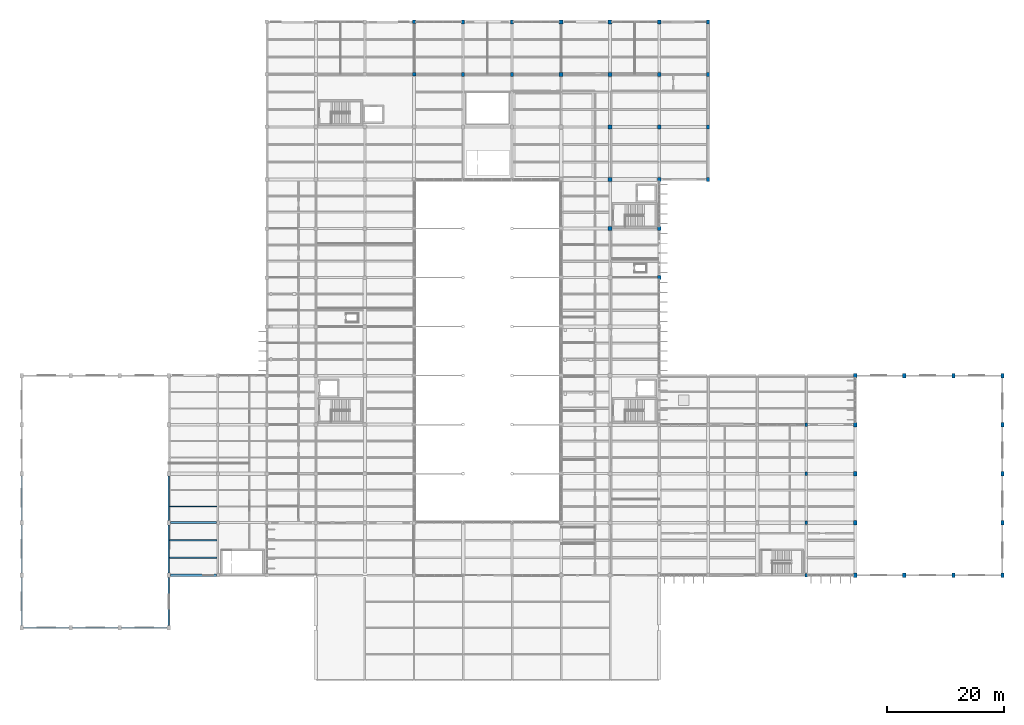
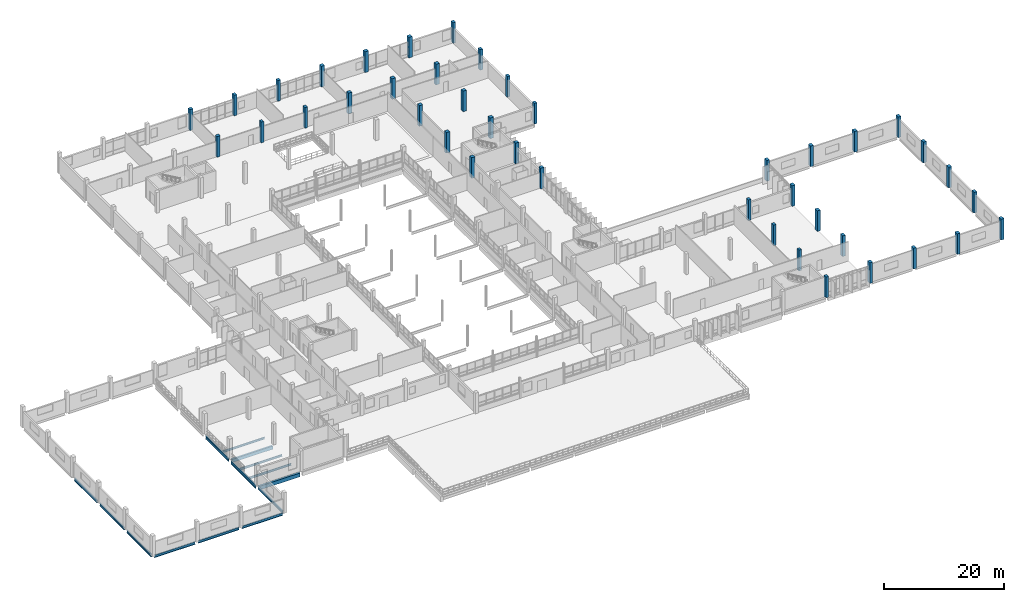
# One storey, part 7 of 101: 41 columns, 14 beams.
"""IFC4 building model written with IfcOpenShell, lengths in metres."""

from ifc_helpers import new_model, si_unit, direction, frame, origin, origin_2d, place, context, subcontext, project, spatial, rectangle, i_section, extrude, material, material_profile, profile_set, type_object, element, save


model = new_model("IFC4")

# Units and contexts
model_context = context("Model", 3, precision=1e-05, world=origin(), true_north=direction((0.0, 1.0)))
body_context = subcontext(model_context, "Body", "Model", "MODEL_VIEW")
ifc_project = project(units=[si_unit("LENGTHUNIT", "METRE"), si_unit("AREAUNIT", "SQUARE_METRE"), si_unit("VOLUMEUNIT", "CUBIC_METRE"), si_unit("PLANEANGLEUNIT", "RADIAN"), si_unit("MASSUNIT", "GRAM", prefix="KILO")], contexts=[model_context])

# Site, building, storey
site_placement = place(None, origin())
site = spatial("IfcSite", under=ifc_project, at=site_placement, CompositionType="ELEMENT")
building_placement = place(site_placement, origin())
building = spatial("IfcBuilding", under=site, at=building_placement, Name="Vireocrest Preparatory School", CompositionType="ELEMENT")
storey_placement = place(building_placement, frame((0.0, 0.0, 4.800048828125)))
storey = spatial("IfcBuildingStorey", under=building, at=storey_placement, Name="L01", CompositionType="ELEMENT", Elevation=4.800048828125)

# Columns
ifc_material_1 = material(Name="Concrete 45 MPa", Category="concrete")
ifc_material_profile_1 = material_profile(ifc_material_1, rectangle(XDim=0.60009765625, YDim=0.60009765625, at=origin_2d()), Name="RC 600x600")
ifc_profile_set_1 = profile_set([ifc_material_profile_1], Name="Concrete 45 MPa")
column_type_1 = type_object("IfcColumnType", Name="RC Column 600x600", PredefinedType="COLUMN", material=ifc_profile_set_1)
for number, where, z_axis, x_axis, name in (
    (1, (67.199951171875, 103.800048828125, 0.0), (0.0, 0.0, 1.0), (1.0, 0.0, 0.0), "Column C05 L01 9/N"),
    (2, (67.199951171875, 112.800048828125, 0.0), (0.0, 0.0, 1.0), (1.0, 0.0, 0.0), "Column C05 L01 9/P"),
):
    element("IfcColumn", number, at=place(storey_placement, frame(where, z_axis=z_axis, x_axis=x_axis)), inside=storey, type_object=column_type_1, Name=name, PredefinedType="COLUMN", context=body_context, shape_type="SweptSolid", body=[
        extrude(rectangle(XDim=0.60009765625, YDim=0.60009765625, at=origin_2d()), origin(), (0.0, 0.0, 1.0), 4.199951171875),
    ])
ifc_material_profile_2 = material_profile(ifc_material_1, rectangle(XDim=0.64990234375, YDim=0.64990234375, at=origin_2d()), Name="RC 650x650")
ifc_profile_set_2 = profile_set([ifc_material_profile_2], Name="Concrete 45 MPa")
column_type_2 = type_object("IfcColumnType", Name="RC Column 650x650", PredefinedType="COLUMN", material=ifc_profile_set_2)
for number, where, z_axis, x_axis, name in (
    (3, (92.39990234375, 103.800048828125, 0.0), (0.0, 0.0, 1.0), (1.0, 0.0, 0.0), "Column C06 L01 12/N"),
    (4, (92.39990234375, 112.800048828125, 0.0), (0.0, 0.0, 1.0), (1.0, 0.0, 0.0), "Column C06 L01 12/P"),
    (5, (100.800048828125, 77.39990234375, 0.0), (0.0, 0.0, 1.0), (1.0, 0.0, 0.0), "Column C06 L01 13/K"),
    (6, (100.800048828125, 85.800048828125, 0.0), (0.0, 0.0, 1.0), (1.0, 0.0, 0.0), "Column C06 L01 13/L"),
    (7, (100.800048828125, 94.800048828125, 0.0), (0.0, 0.0, 1.0), (1.0, 0.0, 0.0), "Column C06 L01 13/M"),
    (8, (100.800048828125, 103.800048828125, 0.0), (0.0, 0.0, 1.0), (1.0, 0.0, 0.0), "Column C06 L01 13/N"),
    (9, (100.800048828125, 112.800048828125, 0.0), (0.0, 0.0, 1.0), (1.0, 0.0, 0.0), "Column C06 L01 13/P"),
    (10, (109.199951171875, 69.0, 0.0), (0.0, 0.0, 1.0), (1.0, 0.0, 0.0), "Column C06 L01 14/J"),
    (11, (109.199951171875, 77.39990234375, 0.0), (0.0, 0.0, 1.0), (1.0, 0.0, 0.0), "Column C06 L01 14/K"),
    (12, (109.199951171875, 85.800048828125, 0.0), (0.0, 0.0, 1.0), (1.0, 0.0, 0.0), "Column C06 L01 14/L"),
    (13, (109.199951171875, 94.800048828125, 0.0), (0.0, 0.0, 1.0), (1.0, 0.0, 0.0), "Column C06 L01 14/M"),
    (14, (109.199951171875, 103.800048828125, 0.0), (0.0, 0.0, 1.0), (1.0, 0.0, 0.0), "Column C06 L01 14/N"),
    (15, (109.199951171875, 112.800048828125, 0.0), (0.0, 0.0, 1.0), (1.0, 0.0, 0.0), "Column C06 L01 14/P"),
):
    element("IfcColumn", number, at=place(storey_placement, frame(where, z_axis=z_axis, x_axis=x_axis)), inside=storey, type_object=column_type_2, Name=name, PredefinedType="COLUMN", context=body_context, shape_type="SweptSolid", body=[
        extrude(rectangle(XDim=0.64990234375, YDim=0.64990234375, at=origin_2d()), origin(), (0.0, 0.0, 1.0), 4.199951171875),
    ])
ifc_material_profile_3 = material_profile(ifc_material_1, rectangle(XDim=0.5, YDim=0.64990234375, at=origin_2d()), Name="RC 500x650")
ifc_profile_set_3 = profile_set([ifc_material_profile_3], Name="Concrete 45 MPa")
column_type_3 = type_object("IfcColumnType", Name="RC Hall Column 500x650", PredefinedType="COLUMN", material=ifc_profile_set_3)
for number, where, z_axis, x_axis, name in (
    (16, (75.60009765625, 103.800048828125, 0.0), (0.0, 0.0, 1.0), (1.0, 0.0, 0.0), "Column C11 L01 10/N"),
    (17, (75.60009765625, 112.800048828125, 0.0), (0.0, 0.0, 1.0), (1.0, 0.0, 0.0), "Column C11 L01 10/P"),
    (18, (84.0, 103.800048828125, 0.0), (0.0, 0.0, 1.0), (1.0, 0.0, 0.0), "Column C11 L01 11/N"),
    (19, (84.0, 112.800048828125, 0.0), (0.0, 0.0, 1.0), (1.0, 0.0, 0.0), "Column C11 L01 11/P"),
    (20, (117.60009765625, 85.800048828125, 0.0), (0.0, 0.0, 1.0), (1.0, 0.0, 0.0), "Column C11 L01 15/L"),
    (21, (117.60009765625, 94.800048828125, 0.0), (0.0, 0.0, 1.0), (1.0, 0.0, 0.0), "Column C11 L01 15/M"),
    (22, (117.60009765625, 103.800048828125, 0.0), (0.0, 0.0, 1.0), (1.0, 0.0, 0.0), "Column C11 L01 15/N"),
    (23, (117.60009765625, 112.800048828125, 0.0), (0.0, 0.0, 1.0), (1.0, 0.0, 0.0), "Column C11 L01 15/P"),
    (24, (134.39990234375, 18.0, 0.0), (0.0, 0.0, 1.0), (1.0, 0.0, 0.0), "Column C11 L01 17/C"),
    (25, (134.39990234375, 27.0, 0.0), (0.0, 0.0, 1.0), (1.0, 0.0, 0.0), "Column C11 L01 17/D"),
    (26, (134.39990234375, 35.39990234375, 0.0), (0.0, 0.0, 1.0), (1.0, 0.0, 0.0), "Column C11 L01 17/E"),
    (27, (134.39990234375, 43.800048828125, 0.0), (0.0, 0.0, 1.0), (1.0, 0.0, 0.0), "Column C11 L01 17/F"),
):
    element("IfcColumn", number, at=place(storey_placement, frame(where, z_axis=z_axis, x_axis=x_axis)), inside=storey, type_object=column_type_3, Name=name, PredefinedType="COLUMN", context=body_context, shape_type="SweptSolid", body=[
        extrude(rectangle(XDim=0.5, YDim=0.64990234375, at=origin_2d()), origin(), (0.0, 0.0, 1.0), 4.199951171875),
    ])
ifc_material_profile_4 = material_profile(ifc_material_1, rectangle(XDim=0.550048828125, YDim=0.75, at=origin_2d()), Name="RC 550x750")
ifc_profile_set_4 = profile_set([ifc_material_profile_4], Name="Concrete 45 MPa")
column_type_4 = type_object("IfcColumnType", Name="RC Vault Pier 550x750", PredefinedType="COLUMN", material=ifc_profile_set_4)
for number, where, z_axis, x_axis, name in (
    (28, (142.800048828125, 18.0, 0.0), (0.0, 0.0, 1.0), (1.0, 0.0, 0.0), "Column C13 L01 18/C"),
    (29, (142.800048828125, 27.0, 0.0), (0.0, 0.0, 1.0), (1.0, 0.0, 0.0), "Column C13 L01 18/D"),
    (30, (142.800048828125, 35.39990234375, 0.0), (0.0, 0.0, 1.0), (1.0, 0.0, 0.0), "Column C13 L01 18/E"),
    (31, (142.800048828125, 43.800048828125, 0.0), (0.0, 0.0, 1.0), (1.0, 0.0, 0.0), "Column C13 L01 18/F"),
    (32, (142.800048828125, 52.199951171875, 0.0), (0.0, 0.0, 1.0), (1.0, 0.0, 0.0), "Column C13 L01 18/G"),
    (33, (151.199951171875, 18.0, 0.0), (0.0, 0.0, 1.0), (1.0, 0.0, 0.0), "Column C13 L01 19/C"),
    (34, (151.199951171875, 52.199951171875, 0.0), (0.0, 0.0, 1.0), (1.0, 0.0, 0.0), "Column C13 L01 19/G"),
    (35, (159.60009765625, 18.0, 0.0), (0.0, 0.0, 1.0), (1.0, 0.0, 0.0), "Column C13 L01 20/C"),
    (36, (159.60009765625, 52.199951171875, 0.0), (0.0, 0.0, 1.0), (1.0, 0.0, 0.0), "Column C13 L01 20/G"),
    (37, (168.0, 18.0, 0.0), (0.0, 0.0, 1.0), (1.0, 0.0, 0.0), "Column C13 L01 21/C"),
    (38, (168.0, 27.0, 0.0), (0.0, 0.0, 1.0), (1.0, 0.0, 0.0), "Column C13 L01 21/D"),
    (39, (168.0, 35.39990234375, 0.0), (0.0, 0.0, 1.0), (1.0, 0.0, 0.0), "Column C13 L01 21/E"),
    (40, (168.0, 43.800048828125, 0.0), (0.0, 0.0, 1.0), (1.0, 0.0, 0.0), "Column C13 L01 21/F"),
    (41, (168.0, 52.199951171875, 0.0), (0.0, 0.0, 1.0), (1.0, 0.0, 0.0), "Column C13 L01 21/G"),
):
    element("IfcColumn", number, at=place(storey_placement, frame(where, z_axis=z_axis, x_axis=x_axis)), inside=storey, type_object=column_type_4, Name=name, PredefinedType="COLUMN", context=body_context, shape_type="SweptSolid", body=[
        extrude(rectangle(XDim=0.550048828125, YDim=0.75, at=origin_2d()), origin(), (0.0, 0.0, 1.0), 4.199951171875),
    ])

# Beams
ifc_material_2 = material(Name="Structural steel ASTM A992 Grade 50", Category="steel")
ifc_material_profile_5 = material_profile(ifc_material_2, i_section(OverallWidth=0.208984375, OverallDepth=0.532958984375, WebThickness=0.01025390625, FlangeThickness=0.015625, FilletRadius=0.014892578125, at=origin_2d()), Name="W21X62")
ifc_profile_set_5 = profile_set([ifc_material_profile_5], Name="Structural steel ASTM A992 Grade 50")
beam_type_1 = type_object("IfcBeamType", Name="Court Tie Girder W21X62", PredefinedType="BEAM", material=ifc_profile_set_5)
for number, where, z_axis, x_axis, name in (
    (42, (0.0, 9.39501953125, -0.2666015625), (0.0, 1.0, 0.0), (-1.0, 0.0, 0.0), "Hall Perimeter Wall Girt SB5 L01-01"),
    (43, (0.0, 18.39501953125, -0.2666015625), (0.0, 1.0, 0.0), (-1.0, 0.0, 0.0), "Hall Perimeter Wall Girt SB5 L01-02"),
):
    element("IfcBeam", number, at=place(storey_placement, frame(where, z_axis=z_axis, x_axis=x_axis)), inside=storey, type_object=beam_type_1, Name=name, PredefinedType="BEAM", context=body_context, shape_type="SweptSolid", body=[
        extrude(i_section(OverallWidth=0.208984375, OverallDepth=0.532958984375, WebThickness=0.01025390625, FlangeThickness=0.015625, FilletRadius=0.014892578125, at=origin_2d()), origin(), (0.0, 0.0, 1.0), 8.2099609375),
    ])
beam_1_placement = place(storey_placement, frame((0.0, 27.39501953125, -0.2666015625), z_axis=(0.0, 1.0, 0.0), x_axis=(-1.0, 0.0, 0.0)))
element("IfcBeam", 44, at=beam_1_placement, inside=storey, type_object=beam_type_1, Name="Hall Perimeter Wall Girt SB5 L01-03", PredefinedType="BEAM", context=body_context, shape_type="SweptSolid", body=[
    extrude(i_section(OverallWidth=0.208984375, OverallDepth=0.532958984375, WebThickness=0.01025390625, FlangeThickness=0.015625, FilletRadius=0.014892578125, at=origin_2d()), origin(), (0.0, 0.0, 1.0), 7.60986328125),
])
beam_2_placement = place(storey_placement, frame((0.294921875, 9.0, -0.2666015625), z_axis=(1.0, 0.0, 0.0), x_axis=(0.0, 1.0, 0.0)))
element("IfcBeam", 45, at=beam_2_placement, inside=storey, type_object=beam_type_1, Name="Hall Perimeter Wall Girt SB5 L01-06", PredefinedType="BEAM", context=body_context, shape_type="SweptSolid", body=[
    extrude(i_section(OverallWidth=0.208984375, OverallDepth=0.532958984375, WebThickness=0.01025390625, FlangeThickness=0.015625, FilletRadius=0.014892578125, at=origin_2d()), origin(), (0.0, 0.0, 1.0), 7.81005859375),
])
beam_3_placement = place(storey_placement, frame((8.695068359375, 9.0, -0.2666015625), z_axis=(1.0, 0.0, 0.0), x_axis=(0.0, 1.0, 0.0)))
element("IfcBeam", 46, at=beam_3_placement, inside=storey, type_object=beam_type_1, Name="Hall Perimeter Wall Girt SB5 L01-07", PredefinedType="BEAM", context=body_context, shape_type="SweptSolid", body=[
    extrude(i_section(OverallWidth=0.208984375, OverallDepth=0.532958984375, WebThickness=0.01025390625, FlangeThickness=0.015625, FilletRadius=0.014892578125, at=origin_2d()), origin(), (0.0, 0.0, 1.0), 7.809814453125),
])
beam_4_placement = place(storey_placement, frame((17.094970703125, 9.0, -0.2666015625), z_axis=(1.0, 0.0, 0.0), x_axis=(0.0, 1.0, 0.0)))
element("IfcBeam", 47, at=beam_4_placement, inside=storey, type_object=beam_type_1, Name="Hall Perimeter Wall Girt SB5 L01-08", PredefinedType="BEAM", context=body_context, shape_type="SweptSolid", body=[
    extrude(i_section(OverallWidth=0.208984375, OverallDepth=0.532958984375, WebThickness=0.01025390625, FlangeThickness=0.015625, FilletRadius=0.014892578125, at=origin_2d()), origin(), (0.0, 0.0, 1.0), 7.81005859375),
])
beam_5_placement = place(storey_placement, frame((25.199951171875, 9.39501953125, -0.2666015625), z_axis=(0.0, 1.0, 0.0), x_axis=(-1.0, 0.0, 0.0)))
element("IfcBeam", 48, at=beam_5_placement, inside=storey, type_object=beam_type_1, Name="Hall Perimeter Wall Girt SB5 L01-09", PredefinedType="BEAM", context=body_context, shape_type="SweptSolid", body=[
    extrude(i_section(OverallWidth=0.208984375, OverallDepth=0.532958984375, WebThickness=0.01025390625, FlangeThickness=0.015625, FilletRadius=0.014892578125, at=origin_2d()), origin(), (0.0, 0.0, 1.0), 8.2099609375),
])
ifc_material_profile_6 = material_profile(ifc_material_2, i_section(OverallWidth=0.177978515625, OverallDepth=0.406005859375, WebThickness=0.0078125, FlangeThickness=0.0126953125, FilletRadius=0.012939453125, at=origin_2d()), Name="W16X40")
ifc_profile_set_6 = profile_set([ifc_material_profile_6], Name="Structural steel ASTM A992 Grade 50")
beam_type_2 = type_object("IfcBeamType", Name="Gallery Secondary Joist W16X40", PredefinedType="JOIST", material=ifc_profile_set_6)
for number, where, z_axis, x_axis, name in (
    (49, (25.31396484375, 21.0, -0.483154296875), (1.0, 0.0, 0.0), (0.0, 1.0, 0.0), "Secondary Joist SJ3 L01-0492"),
    (50, (25.31396484375, 24.0, -0.483154296875), (1.0, 0.0, 0.0), (0.0, 1.0, 0.0), "Secondary Joist SJ3 L01-0493"),
    (51, (25.31396484375, 29.800048828125, -0.483154296875), (1.0, 0.0, 0.0), (0.0, 1.0, 0.0), "Secondary Joist SJ3 L01-0494"),
):
    element("IfcBeam", number, at=place(storey_placement, frame(where, z_axis=z_axis, x_axis=x_axis)), inside=storey, type_object=beam_type_2, Name=name, PredefinedType="JOIST", context=body_context, shape_type="SweptSolid", body=[
        extrude(i_section(OverallWidth=0.177978515625, OverallDepth=0.406005859375, WebThickness=0.0078125, FlangeThickness=0.0126953125, FilletRadius=0.012939453125, at=origin_2d()), origin(), (0.0, 0.0, 1.0), 8.172119140625),
    ])
ifc_material_profile_7 = material_profile(ifc_material_2, i_section(OverallWidth=0.22802734375, OverallDepth=0.60791015625, WebThickness=0.01123046875, FlangeThickness=0.017333984375, FilletRadius=0.01611328125, at=origin_2d()), Name="W24X76")
ifc_profile_set_7 = profile_set([ifc_material_profile_7], Name="Structural steel ASTM A992 Grade 50")
beam_type_3 = type_object("IfcBeamType", Name="Gallery Steel Girder W24X76", PredefinedType="BEAM", material=ifc_profile_set_7)
beam_6_placement = place(storey_placement, frame((25.199951171875, 18.39990234375, -0.583984375), z_axis=(0.0, 1.0, 0.0), x_axis=(-1.0, 0.0, 0.0)))
element("IfcBeam", 52, at=beam_6_placement, inside=storey, type_object=beam_type_3, Name="Primary Girder SB3 L01-0371", PredefinedType="BEAM", context=body_context, shape_type="SweptSolid", body=[
    extrude(i_section(OverallWidth=0.22802734375, OverallDepth=0.60791015625, WebThickness=0.01123046875, FlangeThickness=0.017333984375, FilletRadius=0.01611328125, at=origin_2d()), origin(), (0.0, 0.0, 1.0), 8.2001953125),
])
beam_7_placement = place(storey_placement, frame((25.199951171875, 27.39990234375, -0.583984375), z_axis=(0.0, 1.0, 0.0), x_axis=(-1.0, 0.0, 0.0)))
element("IfcBeam", 53, at=beam_7_placement, inside=storey, type_object=beam_type_3, Name="Primary Girder SB3 L01-0372", PredefinedType="BEAM", context=body_context, shape_type="SweptSolid", body=[
    extrude(i_section(OverallWidth=0.22802734375, OverallDepth=0.60791015625, WebThickness=0.01123046875, FlangeThickness=0.017333984375, FilletRadius=0.01611328125, at=origin_2d()), origin(), (0.0, 0.0, 1.0), 7.60009765625),
])
ifc_material_3 = material(Name="Concrete 40 MPa", Category="concrete")
ifc_material_profile_8 = material_profile(ifc_material_3, rectangle(XDim=0.35009765625, YDim=0.64990234375, at=origin_2d()), Name="RC 350x650")
ifc_profile_set_8 = profile_set([ifc_material_profile_8], Name="Concrete 40 MPa")
beam_type_4 = type_object("IfcBeamType", Name="RC Classroom Girder 350x650", PredefinedType="BEAM", material=ifc_profile_set_8)
beam_8_placement = place(storey_placement, frame((25.5, 27.0, -0.60498046875), z_axis=(1.0, 0.0, 0.0), x_axis=(0.0, 1.0, 0.0)))
element("IfcBeam", 54, at=beam_8_placement, inside=storey, type_object=beam_type_4, Name="Primary Girder B05 L01-0273", PredefinedType="BEAM", context=body_context, shape_type="SweptSolid", body=[
    extrude(rectangle(XDim=0.35009765625, YDim=0.64990234375, at=origin_2d()), origin(), (0.0, 0.0, 1.0), 7.85009765625),
])
ifc_material_profile_9 = material_profile(ifc_material_3, rectangle(XDim=0.39990234375, YDim=0.75, at=origin_2d()), Name="RC 400x750")
ifc_profile_set_9 = profile_set([ifc_material_profile_9], Name="Concrete 40 MPa")
beam_type_5 = type_object("IfcBeamType", Name="RC Commons Girder 400x750", PredefinedType="BEAM", material=ifc_profile_set_9)
beam_9_placement = place(storey_placement, frame((25.5, 18.0, -0.655029296875), z_axis=(1.0, 0.0, 0.0), x_axis=(0.0, 1.0, 0.0)))
element("IfcBeam", 55, at=beam_9_placement, inside=storey, type_object=beam_type_5, Name="Primary Girder B09 L01-0259", PredefinedType="BEAM", context=body_context, shape_type="SweptSolid", body=[
    extrude(rectangle(XDim=0.39990234375, YDim=0.75, at=origin_2d()), origin(), (0.0, 0.0, 1.0), 7.85009765625),
])

save(model, "model.ifc")
